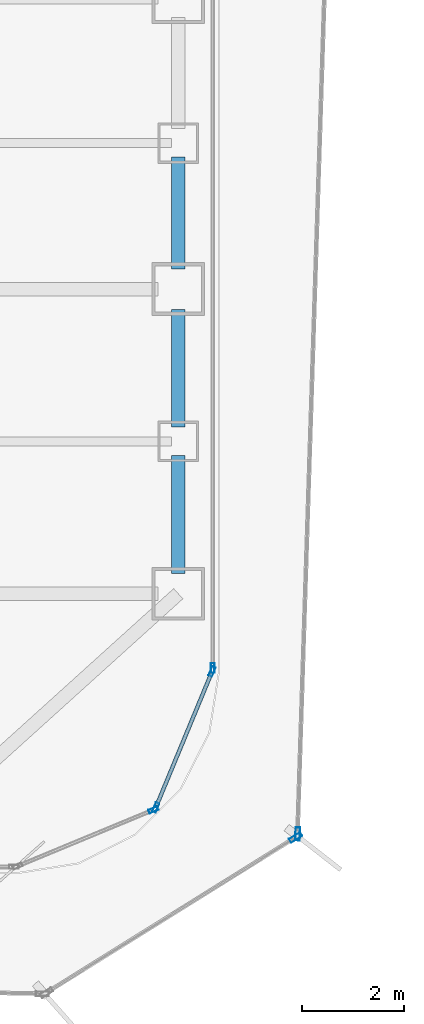
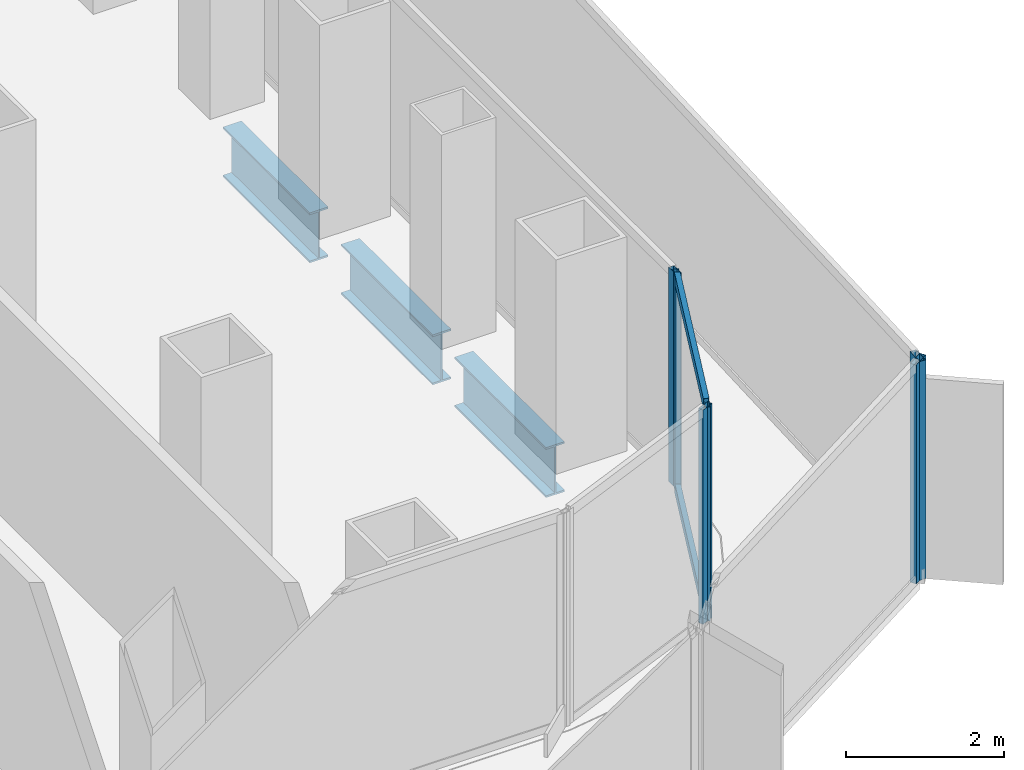
# One storey, part 8 of 22: 8 members, 3 beams, 5 elements without a shape of their own.
"""IFC4 building model written with IfcOpenShell, lengths in metres."""

from ifc_helpers import new_model, si_unit, direction, frame, origin, origin_2d, place, context, subcontext, project, spatial, hollow_rectangle, i_section, extrude, source, transform, mapped, material, layer, layer_set, material_profile, profile_set, type_object, element, aggregate, save


model = new_model("IFC4")

# Units and contexts
model_context = context("Model", 3, precision=1e-05, world=origin(), true_north=direction((0.0, 1.0)))
body_context = subcontext(model_context, "Body", "Model", "MODEL_VIEW")
ifc_project = project(units=[si_unit("LENGTHUNIT", "METRE"), si_unit("AREAUNIT", "SQUARE_METRE"), si_unit("VOLUMEUNIT", "CUBIC_METRE"), si_unit("PLANEANGLEUNIT", "RADIAN"), si_unit("MASSUNIT", "GRAM", prefix="KILO")], contexts=[model_context])

# Site, building, storey
site_placement = place(None, origin())
site = spatial("IfcSite", under=ifc_project, at=site_placement, CompositionType="ELEMENT")
building_placement = place(site_placement, origin())
building = spatial("IfcBuilding", under=site, at=building_placement, Name="Kolveth Station Tower", CompositionType="ELEMENT")
storey_placement = place(building_placement, frame((0.0, 0.0, 69.300048828125)))
storey = spatial("IfcBuildingStorey", under=building, at=storey_placement, Name="L18", CompositionType="ELEMENT", Elevation=69.300048828125)

# Beams
ifc_material_1 = material(Name="Steel S355", Category="steel")
ifc_material_profile_1 = material_profile(ifc_material_1, i_section(OverallWidth=0.26904296875, OverallDepth=0.77490234375, WebThickness=0.01708984375, FlangeThickness=0.0283203125, at=origin_2d()), Name="W760x220")
ifc_profile_set_1 = profile_set([ifc_material_profile_1], Name="Steel S355")
beam_type = type_object("IfcBeamType", Name="Beam_SP1", PredefinedType="SPANDREL", material=ifc_profile_set_1)
shared_shape_1 = source(origin(), body_context, "Body", "SweptSolid", [
    extrude(i_section(OverallWidth=0.26904296875, OverallDepth=0.77490234375, WebThickness=0.01708984375, FlangeThickness=0.0283203125, at=origin_2d()), origin(), (0.0, 0.0, 1.0), 2.320068359375),
])
for number, where, z_axis, x_axis, name in (
    (1, (46.199951171875, 5.89990234375, -0.66748046875), (0.0, 1.0, 0.0), (-1.0, 0.0, 0.0), "L18 Perimeter Spandrel BM-L18-PE-1"),
    (2, (46.199951171875, 8.780029296875, -0.66748046875), (0.0, 1.0, 0.0), (-1.0, 0.0, 0.0), "L18 Perimeter Spandrel BM-L18-PE-2"),
):
    element("IfcBeam", number, at=place(storey_placement, frame(where, z_axis=z_axis, x_axis=x_axis)), inside=storey, type_object=beam_type, Name=name, PredefinedType="SPANDREL", context=body_context, shape_type="MappedRepresentation", body=[
        mapped(shared_shape_1, transform((0.0, 0.0, 0.0), x_axis=(1.0, 0.0, 0.0), y_axis=(0.0, 1.0, 0.0), z_axis=(0.0, 0.0, 1.0), scale=1.0)),
    ])
shared_shape_2 = source(origin(), body_context, "Body", "SweptSolid", [
    extrude(i_section(OverallWidth=0.26904296875, OverallDepth=0.77490234375, WebThickness=0.01708984375, FlangeThickness=0.0283203125, at=origin_2d()), origin(), (0.0, 0.0, 1.0), 2.2001953125),
])
beam_placement = place(storey_placement, frame((46.199951171875, 11.89990234375, -0.66748046875), z_axis=(0.0, 1.0, 0.0), x_axis=(-1.0, 0.0, 0.0)))
element("IfcBeam", 3, at=beam_placement, inside=storey, type_object=beam_type, Name="L18 Perimeter Spandrel BM-L18-PE-3", PredefinedType="SPANDREL", context=body_context, shape_type="MappedRepresentation", body=[
    mapped(shared_shape_2, transform((0.0, 0.0, 0.0), x_axis=(1.0, 0.0, 0.0), y_axis=(0.0, 1.0, 0.0), z_axis=(0.0, 0.0, 1.0), scale=1.0)),
])

# Curtain wall, member
ifc_material_2 = material(Name="Aluminium 6063-T6 and low-E dark glass", Category="aluminium")
ifc_layer_1 = layer(ifc_material_2, 0.179931640625)
ifc_layer_set_1 = layer_set([ifc_layer_1], Name="Aluminium 6063-T6 and low-E dark glass")
curtain_wall_type_1 = type_object("IfcCurtainWallType", Name="CurtainWall_CW-Z1", PredefinedType="NOTDEFINED", material=ifc_layer_set_1)
curtain_wall_1_placement = place(storey_placement, origin())
curtain_wall_1 = element("IfcCurtainWall", 4, at=curtain_wall_1_placement, inside=storey, type_object=curtain_wall_type_1, Name="L18 Inner Thermal Curtain Wall 1", PredefinedType="NOTDEFINED")
ifc_material_3 = material(Name="Black anodized aluminium 6063-T6", Category="aluminium")
ifc_material_profile_2 = material_profile(ifc_material_3, hollow_rectangle(XDim=0.074951171875, YDim=0.18994140625, WallThickness=0.0048828125, at=origin_2d()), Name="ALU-75x190x5")
ifc_profile_set_2 = profile_set([ifc_material_profile_2], Name="Black anodized aluminium 6063-T6")
member_type_1 = type_object("IfcMemberType", Name="Mullion_ML1", PredefinedType="MULLION", material=ifc_profile_set_2)
shared_shape_3 = source(origin(), body_context, "Body", "SweptSolid", [
    extrude(hollow_rectangle(XDim=0.074951171875, YDim=0.18994140625, WallThickness=0.0048828125, at=origin_2d()), origin(), (0.0, 0.0, 1.0), 3.320068359375),
])
member_1_placement = place(storey_placement, frame((45.708984375, 1.241943359375, 0.0), z_axis=(0.0, 0.0, 1.0), x_axis=(-0.382672990201, 0.923883857728, 0.0)))
member_1 = element("IfcMember", 5, at=member_1_placement, type_object=member_type_1, Name="CW-Z1 mullion 2", PredefinedType="MULLION", context=body_context, shape_type="MappedRepresentation", body=[
    mapped(shared_shape_3, transform((0.0, 0.0, 0.0), x_axis=(1.0, 0.0, 0.0), y_axis=(0.0, 1.0, 0.0), z_axis=(0.0, 0.0, 1.0), scale=1.0)),
])
aggregate(curtain_wall_1, [member_1])

# Curtain wall, members
curtain_wall_2_placement = place(storey_placement, origin())
curtain_wall_2 = element("IfcCurtainWall", 6, at=curtain_wall_2_placement, inside=storey, type_object=curtain_wall_type_1, Name="L18 Inner Thermal Curtain Wall 2", PredefinedType="NOTDEFINED")
member_2_placement = place(storey_placement, frame((45.758056640625, 1.291015625, 0.0), z_axis=(0.0, 0.0, 1.0), x_axis=(-0.923883857728, 0.382672990201, 0.0)))
member_2 = element("IfcMember", 7, at=member_2_placement, type_object=member_type_1, Name="CW-Z1 mullion 1", PredefinedType="MULLION", context=body_context, shape_type="MappedRepresentation", body=[
    mapped(shared_shape_3, transform((0.0, 0.0, 0.0), x_axis=(1.0, 0.0, 0.0), y_axis=(0.0, 1.0, 0.0), z_axis=(0.0, 0.0, 1.0), scale=1.0)),
])
member_3_placement = place(storey_placement, frame((46.86572265625, 3.96533203125, 0.0), z_axis=(0.0, 0.0, 1.0), x_axis=(-0.923883857728, 0.382672990201, 0.0)))
member_3 = element("IfcMember", 8, at=member_3_placement, type_object=member_type_1, Name="CW-Z1 mullion 2", PredefinedType="MULLION", context=body_context, shape_type="MappedRepresentation", body=[
    mapped(shared_shape_3, transform((0.0, 0.0, 0.0), x_axis=(1.0, 0.0, 0.0), y_axis=(0.0, 1.0, 0.0), z_axis=(0.0, 0.0, 1.0), scale=1.0)),
])

# Curtain wall, member
curtain_wall_3_placement = place(storey_placement, origin())
curtain_wall_3 = element("IfcCurtainWall", 9, at=curtain_wall_3_placement, inside=storey, type_object=curtain_wall_type_1, Name="L18 Inner Thermal Curtain Wall 3", PredefinedType="NOTDEFINED")
member_4_placement = place(storey_placement, frame((46.8798828125, 4.03759765625, 0.0), z_axis=(0.0, 0.0, 1.0), x_axis=(-1.0, 0.0, 0.0)))
member_4 = element("IfcMember", 10, at=member_4_placement, type_object=member_type_1, Name="CW-Z1 mullion 1", PredefinedType="MULLION", context=body_context, shape_type="MappedRepresentation", body=[
    mapped(shared_shape_3, transform((0.0, 0.0, 0.0), x_axis=(1.0, 0.0, 0.0), y_axis=(0.0, 1.0, 0.0), z_axis=(0.0, 0.0, 1.0), scale=1.0)),
])
aggregate(curtain_wall_3, [member_4])

# Member
ifc_material_profile_3 = material_profile(ifc_material_3, hollow_rectangle(XDim=0.074951171875, YDim=0.159912109375, WallThickness=0.0048828125, at=origin_2d()), Name="ALU-75x160x5")
ifc_profile_set_3 = profile_set([ifc_material_profile_3], Name="Black anodized aluminium 6063-T6")
member_type_2 = type_object("IfcMemberType", Name="Transom_TR1", PredefinedType="USERDEFINED", material=ifc_profile_set_3)
shared_shape_4 = source(origin(), body_context, "Body", "SweptSolid", [
    extrude(hollow_rectangle(XDim=0.074951171875, YDim=0.159912109375, WallThickness=0.0048828125, at=origin_2d()), origin(), (0.0, 0.0, 1.0), 2.819580078125),
])
member_5_placement = place(storey_placement, frame((45.772216796875, 1.32568359375, 0.037353515625), z_axis=(0.382708655389, 0.923869084389, 0.0), x_axis=(-0.923869084389, 0.382708655389, 0.0)))
member_5 = element("IfcMember", 11, at=member_5_placement, type_object=member_type_2, Name="CW-Z1 transom 1.1", ObjectType="TRANSOM", PredefinedType="USERDEFINED", context=body_context, shape_type="MappedRepresentation", body=[
    mapped(shared_shape_4, transform((0.0, 0.0, 0.0), x_axis=(1.0, 0.0, 0.0), y_axis=(0.0, 1.0, 0.0), z_axis=(0.0, 0.0, 1.0), scale=1.0)),
])

member_6_placement = place(storey_placement, frame((45.772216796875, 1.32568359375, 3.282470703125), z_axis=(0.382708655389, 0.923869084389, 0.0), x_axis=(-0.923869084389, 0.382708655389, 0.0)))
member_6 = element("IfcMember", 12, at=member_6_placement, type_object=member_type_2, Name="CW-Z1 transom 1.2", ObjectType="TRANSOM", PredefinedType="USERDEFINED", context=body_context, shape_type="MappedRepresentation", body=[
    mapped(shared_shape_4, transform((0.0, 0.0, 0.0), x_axis=(1.0, 0.0, 0.0), y_axis=(0.0, 1.0, 0.0), z_axis=(0.0, 0.0, 1.0), scale=1.0)),
])

aggregate(curtain_wall_2, [member_2, member_3, member_5, member_6])

# Curtain wall, member
ifc_material_4 = material(Name="Black anodized aluminium 6063-T6 and dark solar glass", Category="aluminium")
ifc_layer_2 = layer(ifc_material_4, 0.159912109375)
ifc_layer_set_2 = layer_set([ifc_layer_2], Name="Black anodized aluminium 6063-T6 and dark solar glass")
curtain_wall_type_2 = type_object("IfcCurtainWallType", Name="OUTER SKIN CW-OS", PredefinedType="NOTDEFINED", material=ifc_layer_set_2)
curtain_wall_4_placement = place(storey_placement, origin())
curtain_wall_4 = element("IfcCurtainWall", 13, at=curtain_wall_4_placement, inside=storey, type_object=curtain_wall_type_2, Name="L18 Outer Ventilated Skin Curtain Wall 1", PredefinedType="NOTDEFINED")
ifc_material_profile_4 = material_profile(ifc_material_3, hollow_rectangle(XDim=0.090087890625, YDim=0.260009765625, WallThickness=0.0048828125, at=origin_2d()), Name="ALU-90x260x5")
ifc_profile_set_4 = profile_set([ifc_material_profile_4], Name="Black anodized aluminium 6063-T6")
member_type_3 = type_object("IfcMemberType", Name="FIN MULLION ML-OS", PredefinedType="MULLION", material=ifc_profile_set_4)
shared_shape_5 = source(origin(), body_context, "Body", "SweptSolid", [
    extrude(hollow_rectangle(XDim=0.090087890625, YDim=0.260009765625, WallThickness=0.0048828125, at=origin_2d()), origin(), (0.0, 0.0, 1.0), 3.389892578125),
])
member_7_placement = place(storey_placement, frame((48.5126953125, 0.69970703125, 0.0), z_axis=(0.0, 0.0, 1.0), x_axis=(-0.529078641746, 0.848572796434, 0.0)))
member_7 = element("IfcMember", 14, at=member_7_placement, type_object=member_type_3, Name="CW-OS mullion 2", PredefinedType="MULLION", context=body_context, shape_type="MappedRepresentation", body=[
    mapped(shared_shape_5, transform((0.0, 0.0, 0.0), x_axis=(1.0, 0.0, 0.0), y_axis=(0.0, 1.0, 0.0), z_axis=(0.0, 0.0, 1.0), scale=1.0)),
])
aggregate(curtain_wall_4, [member_7])

curtain_wall_5_placement = place(storey_placement, origin())
curtain_wall_5 = element("IfcCurtainWall", 15, at=curtain_wall_5_placement, inside=storey, type_object=curtain_wall_type_2, Name="L18 Outer Ventilated Skin Curtain Wall 2", PredefinedType="NOTDEFINED")
member_8_placement = place(storey_placement, frame((48.55224609375, 0.7685546875, 0.0), z_axis=(0.0, 0.0, 1.0), x_axis=(-0.999484666068, 0.032099879983, 0.0)))
member_8 = element("IfcMember", 16, at=member_8_placement, type_object=member_type_3, Name="CW-OS mullion 1", PredefinedType="MULLION", context=body_context, shape_type="MappedRepresentation", body=[
    mapped(shared_shape_5, transform((0.0, 0.0, 0.0), x_axis=(1.0, 0.0, 0.0), y_axis=(0.0, 1.0, 0.0), z_axis=(0.0, 0.0, 1.0), scale=1.0)),
])
aggregate(curtain_wall_5, [member_8])

save(model, "model.ifc")
